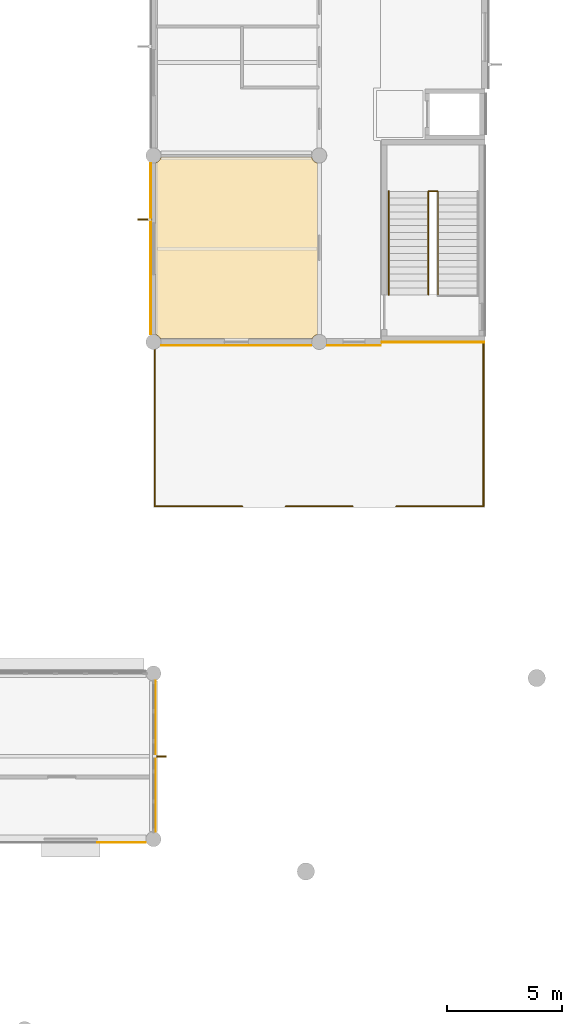
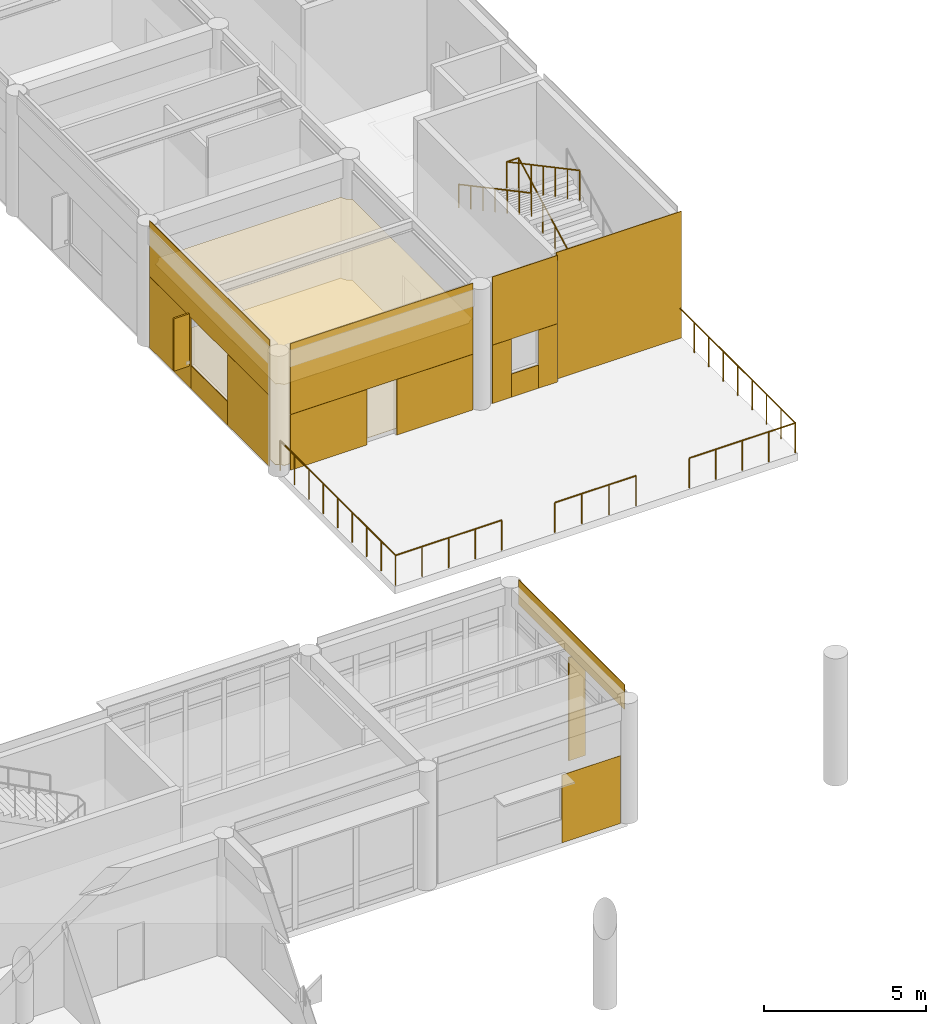
# One storey, part 88 of 92: 16 coverings, 5 railings, 2 shading devices.
"""IFC4 building model written with IfcOpenShell, lengths in metres."""

from ifc_helpers import new_model, si_unit, direction, frame, origin, origin_2d, place, context, subcontext, project, spatial, polyline, rectangle, circle, outline, extrude, material, layer, layer_set, type_object, element, save


model = new_model("IFC4")

# Units and contexts
model_context = context("Model", 3, precision=1e-05, world=origin(), true_north=direction((0.0, 1.0)))
body_context = subcontext(model_context, "Body", "Model", "MODEL_VIEW")
ifc_project = project(units=[si_unit("LENGTHUNIT", "METRE"), si_unit("AREAUNIT", "SQUARE_METRE"), si_unit("VOLUMEUNIT", "CUBIC_METRE"), si_unit("PLANEANGLEUNIT", "RADIAN"), si_unit("MASSUNIT", "GRAM", prefix="KILO")], contexts=[model_context])

# Site, building, storey
site_placement = place(None, origin())
site = spatial("IfcSite", under=ifc_project, at=site_placement, CompositionType="ELEMENT")
building_placement = place(site_placement, origin())
building = spatial("IfcBuilding", under=site, at=building_placement, Name="Namkhue Oval Health Centre", CompositionType="ELEMENT")
storey_placement = place(building_placement, frame((0.0, 0.0, 4.800048828125)))
storey = spatial("IfcBuildingStorey", under=building, at=storey_placement, Name="L01", CompositionType="ELEMENT", Elevation=4.800048828125)

# Coverings
ifc_material_1 = material(Name="Acoustic mineral-fibre cleanroom ceiling", Category="gypsum")
ifc_layer_1 = layer(ifc_material_1, 0.02001953125)
ifc_layer_set_1 = layer_set([ifc_layer_1], Name="Acoustic mineral-fibre cleanroom ceiling")
covering_type_1 = type_object("IfcCoveringType", Name="ACOUSTIC CLEANROOM CEILING 20", PredefinedType="CEILING", material=ifc_layer_set_1)
covering_1_placement = place(storey_placement, frame((0.0, 0.0, 3.050048828125)))
element("IfcCovering", 1, at=covering_1_placement, inside=storey, type_object=covering_type_1, Name="Acoustic Ceiling L01-601 Garden Terrace Rehab Lounge", PredefinedType="CEILING", context=body_context, shape_type="SweptSolid", body=[
    extrude(outline(polyline([(137.09521484375, 43.35498046875), (137.090087890625, 43.367431640625), (137.036865234375, 43.43701171875), (136.967529296875, 43.489990234375), (136.885009765625, 43.523681640625), (136.885009765625, 50.976318359375), (136.967529296875, 51.010009765625), (137.036865234375, 51.06298828125), (137.090087890625, 51.132568359375), (137.12353515625, 51.21337890625), (137.125732421875, 51.22998046875), (143.67431640625, 51.22998046875), (143.676513671875, 51.21337890625), (143.7099609375, 51.132568359375), (143.76318359375, 51.06298828125), (143.83251953125, 51.010009765625), (143.919921875, 50.9755859375), (143.919921875, 43.5244140625), (143.83251953125, 43.489990234375), (143.76318359375, 43.43701171875), (143.7099609375, 43.367431640625), (143.70458984375, 43.35498046875), (137.09521484375, 43.35498046875)])), origin(), (0.0, 0.0, 1.0), 0.02001953125),
])
ifc_material_2 = material(Name="Homogeneous anti-bacterial clinical vinyl flooring", Category="plastic")
ifc_layer_2 = layer(ifc_material_2, 0.014892578125)
ifc_layer_set_2 = layer_set([ifc_layer_2], Name="Homogeneous anti-bacterial clinical vinyl flooring")
covering_type_2 = type_object("IfcCoveringType", Name="CLINICAL ANTIBACTERIAL VINYL FLOORING 15", PredefinedType="FLOORING", material=ifc_layer_set_2)
covering_2_placement = place(storey_placement, origin())
element("IfcCovering", 2, at=covering_2_placement, inside=storey, type_object=covering_type_2, Name="Clinical Flooring L01-601 Garden Terrace Rehab Lounge", PredefinedType="FLOORING", context=body_context, shape_type="SweptSolid", body=[
    extrude(outline(polyline([(137.09521484375, 43.35498046875), (137.090087890625, 43.367431640625), (137.036865234375, 43.43701171875), (136.967529296875, 43.489990234375), (136.885009765625, 43.523681640625), (136.885009765625, 50.976318359375), (136.967529296875, 51.010009765625), (137.036865234375, 51.06298828125), (137.090087890625, 51.132568359375), (137.12353515625, 51.21337890625), (137.125732421875, 51.22998046875), (143.67431640625, 51.22998046875), (143.676513671875, 51.21337890625), (143.7099609375, 51.132568359375), (143.76318359375, 51.06298828125), (143.83251953125, 51.010009765625), (143.919921875, 50.9755859375), (143.919921875, 43.5244140625), (143.83251953125, 43.489990234375), (143.76318359375, 43.43701171875), (143.7099609375, 43.367431640625), (143.70458984375, 43.35498046875), (137.09521484375, 43.35498046875)])), origin(), (0.0, 0.0, 1.0), 0.014892578125),
])

# Railings
ifc_material_3 = material(Name="Brushed stainless steel 316L balustrade with laminated glass infill", Category="steel")
railing_type_1 = type_object("IfcRailingType", Name="EXTERIOR BALUSTRADE GUARD 1150", PredefinedType="BALUSTRADE", material=ifc_material_3)
railing_1_placement = place(storey_placement, frame((136.860107421875, 43.199951171875, 0.0)))
element("IfcRailing", 3, at=railing_1_placement, inside=storey, type_object=railing_type_1, Name="Volume V6 L01 Terrace Balustrade Guard 1", PredefinedType="BALUSTRADE", context=body_context, shape_type="SweptSolid", body=[
    extrude(circle(Radius=0.02392578125, at=origin_2d()), frame((0.0, 0.0, 1.1259765625), z_axis=(0.0, -1.0, 0.0), x_axis=(1.0, 0.0, 0.0)), (0.0, 0.0, 1.0), 7.139892578125),
    extrude(circle(Radius=0.02392578125, at=origin_2d()), frame((0.0, -7.139892578125, 1.1259765625), z_axis=(1.0, 0.0, 0.0), x_axis=(0.0, 1.0, 0.0)), (0.0, 0.0, 1.0), 3.789794921875),
    extrude(circle(Radius=0.02099609375, at=origin_2d()), origin(), (0.0, 0.0, 1.0), 1.101806640625),
    extrude(circle(Radius=0.02099609375, at=origin_2d()), frame((0.0, -0.892578125, 0.0)), (0.0, 0.0, 1.0), 1.101806640625),
    extrude(circle(Radius=0.02099609375, at=origin_2d()), frame((0.0, -1.784912109375, 0.0)), (0.0, 0.0, 1.0), 1.101806640625),
    extrude(circle(Radius=0.02099609375, at=origin_2d()), frame((0.0, -2.677490234375, 0.0)), (0.0, 0.0, 1.0), 1.101806640625),
    extrude(circle(Radius=0.02099609375, at=origin_2d()), frame((0.0, -3.56982421875, 0.0)), (0.0, 0.0, 1.0), 1.101806640625),
    extrude(circle(Radius=0.02099609375, at=origin_2d()), frame((0.0, -4.46240234375, 0.0)), (0.0, 0.0, 1.0), 1.101806640625),
    extrude(circle(Radius=0.02099609375, at=origin_2d()), frame((0.0, -5.35498046875, 0.0)), (0.0, 0.0, 1.0), 1.101806640625),
    extrude(circle(Radius=0.02099609375, at=origin_2d()), frame((0.0, -6.247314453125, 0.0)), (0.0, 0.0, 1.0), 1.101806640625),
    extrude(circle(Radius=0.02099609375, at=origin_2d()), frame((0.0, -7.139892578125, 0.0)), (0.0, 0.0, 1.0), 1.101806640625),
    extrude(circle(Radius=0.02099609375, at=origin_2d()), frame((0.947509765625, -7.139892578125, 0.0)), (0.0, 0.0, 1.0), 1.101806640625),
    extrude(circle(Radius=0.02099609375, at=origin_2d()), frame((1.89501953125, -7.139892578125, 0.0)), (0.0, 0.0, 1.0), 1.101806640625),
    extrude(circle(Radius=0.02099609375, at=origin_2d()), frame((2.84228515625, -7.139892578125, 0.0)), (0.0, 0.0, 1.0), 1.101806640625),
    extrude(circle(Radius=0.02099609375, at=origin_2d()), frame((3.789794921875, -7.139892578125, 0.0)), (0.0, 0.0, 1.0), 1.101806640625),
])
railing_2_placement = place(storey_placement, frame((142.550048828125, 36.06005859375, 0.0)))
element("IfcRailing", 4, at=railing_2_placement, inside=storey, type_object=railing_type_1, Name="Volume V6 L01 Terrace Balustrade Guard 2", PredefinedType="BALUSTRADE", context=body_context, shape_type="SweptSolid", body=[
    extrude(circle(Radius=0.02392578125, at=origin_2d()), frame((0.0, 0.0, 1.1259765625), z_axis=(1.0, 0.0, 0.0), x_axis=(0.0, 1.0, 0.0)), (0.0, 0.0, 1.0), 2.89990234375),
    extrude(circle(Radius=0.02099609375, at=origin_2d()), origin(), (0.0, 0.0, 1.0), 1.101806640625),
    extrude(circle(Radius=0.02099609375, at=origin_2d()), frame((0.966552734375, 0.0, 0.0)), (0.0, 0.0, 1.0), 1.101806640625),
    extrude(circle(Radius=0.02099609375, at=origin_2d()), frame((1.933349609375, 0.0, 0.0)), (0.0, 0.0, 1.0), 1.101806640625),
    extrude(circle(Radius=0.02099609375, at=origin_2d()), frame((2.89990234375, 0.0, 0.0)), (0.0, 0.0, 1.0), 1.101806640625),
])
railing_3_placement = place(storey_placement, frame((147.35009765625, 36.06005859375, 0.0)))
element("IfcRailing", 5, at=railing_3_placement, inside=storey, type_object=railing_type_1, Name="Volume V6 L01 Terrace Balustrade Guard 3", PredefinedType="BALUSTRADE", context=body_context, shape_type="SweptSolid", body=[
    extrude(circle(Radius=0.02392578125, at=origin_2d()), frame((0.0, 0.0, 1.1259765625), z_axis=(1.0, 0.0, 0.0), x_axis=(0.0, 1.0, 0.0)), (0.0, 0.0, 1.0), 3.789794921875),
    extrude(circle(Radius=0.02392578125, at=origin_2d()), frame((3.789794921875, 0.0, 1.1259765625), z_axis=(0.0, 1.0, 0.0), x_axis=(-1.0, 0.0, 0.0)), (0.0, 0.0, 1.0), 7.139892578125),
    extrude(circle(Radius=0.02099609375, at=origin_2d()), origin(), (0.0, 0.0, 1.0), 1.101806640625),
    extrude(circle(Radius=0.02099609375, at=origin_2d()), frame((0.947509765625, 0.0, 0.0)), (0.0, 0.0, 1.0), 1.101806640625),
    extrude(circle(Radius=0.02099609375, at=origin_2d()), frame((1.89501953125, 0.0, 0.0)), (0.0, 0.0, 1.0), 1.101806640625),
    extrude(circle(Radius=0.02099609375, at=origin_2d()), frame((2.84228515625, 0.0, 0.0)), (0.0, 0.0, 1.0), 1.101806640625),
    extrude(circle(Radius=0.02099609375, at=origin_2d()), frame((3.789794921875, 0.0, 0.0)), (0.0, 0.0, 1.0), 1.101806640625),
    extrude(circle(Radius=0.02099609375, at=origin_2d()), frame((3.789794921875, 0.892578125, 0.0)), (0.0, 0.0, 1.0), 1.101806640625),
    extrude(circle(Radius=0.02099609375, at=origin_2d()), frame((3.789794921875, 1.784912109375, 0.0)), (0.0, 0.0, 1.0), 1.101806640625),
    extrude(circle(Radius=0.02099609375, at=origin_2d()), frame((3.789794921875, 2.677490234375, 0.0)), (0.0, 0.0, 1.0), 1.101806640625),
    extrude(circle(Radius=0.02099609375, at=origin_2d()), frame((3.789794921875, 3.56982421875, 0.0)), (0.0, 0.0, 1.0), 1.101806640625),
    extrude(circle(Radius=0.02099609375, at=origin_2d()), frame((3.789794921875, 4.46240234375, 0.0)), (0.0, 0.0, 1.0), 1.101806640625),
    extrude(circle(Radius=0.02099609375, at=origin_2d()), frame((3.789794921875, 5.35498046875, 0.0)), (0.0, 0.0, 1.0), 1.101806640625),
    extrude(circle(Radius=0.02099609375, at=origin_2d()), frame((3.789794921875, 6.247314453125, 0.0)), (0.0, 0.0, 1.0), 1.101806640625),
    extrude(circle(Radius=0.02099609375, at=origin_2d()), frame((3.789794921875, 7.139892578125, 0.0)), (0.0, 0.0, 1.0), 1.101806640625),
])
railing_type_2 = type_object("IfcRailingType", Name="INTERIOR BALUSTRADE GUARD 1150", PredefinedType="BALUSTRADE", material=ifc_material_3)
railing_4_placement = place(storey_placement, frame((149.159912109375, 45.25, 0.0)))
element("IfcRailing", 6, at=railing_4_placement, inside=storey, type_object=railing_type_2, Name="Stair ST-11 L01 Inner Well Guard", PredefinedType="BALUSTRADE", context=body_context, shape_type="SweptSolid", body=[
    extrude(circle(Radius=0.02392578125, at=origin_2d()), frame((0.0, 0.0, 1.1259765625), z_axis=(0.0, 0.882360891967, 0.470573327259), x_axis=(-1.0, 0.0, 0.0)), (0.0, 0.0, 1.0), 5.099853515625),
    extrude(circle(Radius=0.02392578125, at=origin_2d()), frame((0.0, 4.5, 3.52587890625), z_axis=(-1.0, 0.0, 0.0), x_axis=(0.0, -1.0, 0.0)), (0.0, 0.0, 1.0), 0.419921875),
    extrude(circle(Radius=0.02392578125, at=origin_2d()), frame((-0.419921875, 4.5, 3.52587890625), z_axis=(0.0, -0.882341014787, 0.470610596591), x_axis=(1.0, 0.0, 0.0)), (0.0, 0.0, 1.0), 5.10009765625),
    extrude(circle(Radius=0.02099609375, at=origin_2d()), origin(), (0.0, 0.0, 1.0), 1.101806640625),
    extrude(circle(Radius=0.02099609375, at=origin_2d()), frame((0.0, 0.75, 0.39990234375)), (0.0, 0.0, 1.0), 1.101806640625),
    extrude(circle(Radius=0.02099609375, at=origin_2d()), frame((0.0, 1.5, 0.800048828125)), (0.0, 0.0, 1.0), 1.101806640625),
    extrude(circle(Radius=0.02099609375, at=origin_2d()), frame((0.0, 2.25, 1.199951171875)), (0.0, 0.0, 1.0), 1.101806640625),
    extrude(circle(Radius=0.02099609375, at=origin_2d()), frame((0.0, 3.0, 1.599853515625)), (0.0, 0.0, 1.0), 1.101806640625),
    extrude(circle(Radius=0.02099609375, at=origin_2d()), frame((0.0, 3.75, 2.0)), (0.0, 0.0, 1.0), 1.101806640625),
    extrude(circle(Radius=0.02099609375, at=origin_2d()), frame((0.0, 4.5, 2.39990234375)), (0.0, 0.0, 1.0), 1.101806640625),
    extrude(circle(Radius=0.02099609375, at=origin_2d()), frame((-0.419921875, 4.5, 2.39990234375)), (0.0, 0.0, 1.0), 1.101806640625),
    extrude(circle(Radius=0.02099609375, at=origin_2d()), frame((-0.419921875, 3.75, 2.7998046875)), (0.0, 0.0, 1.0), 1.101806640625),
    extrude(circle(Radius=0.02099609375, at=origin_2d()), frame((-0.419921875, 3.0, 3.199951171875)), (0.0, 0.0, 1.0), 1.101806640625),
    extrude(circle(Radius=0.02099609375, at=origin_2d()), frame((-0.419921875, 2.25, 3.60009765625)), (0.0, 0.0, 1.0), 1.101806640625),
    extrude(circle(Radius=0.02099609375, at=origin_2d()), frame((-0.419921875, 1.5, 4.0)), (0.0, 0.0, 1.0), 1.101806640625),
    extrude(circle(Radius=0.02099609375, at=origin_2d()), frame((-0.419921875, 0.75, 4.39990234375)), (0.0, 0.0, 1.0), 1.101806640625),
    extrude(circle(Radius=0.02099609375, at=origin_2d()), frame((-0.419921875, 0.0, 4.800048828125)), (0.0, 0.0, 1.0), 1.101806640625),
])
ifc_material_4 = material(Name="Brushed stainless steel 304 tubular handrail", Category="steel")
railing_type_3 = type_object("IfcRailingType", Name="INTERIOR STAIR HANDRAIL 900", PredefinedType="HANDRAIL", material=ifc_material_4)
railing_5_placement = place(storey_placement, frame((147.02001953125, 49.75, 2.39990234375)))
element("IfcRailing", 7, at=railing_5_placement, inside=storey, type_object=railing_type_3, Name="Stair ST-11 L01 Flight 2 Handrail", PredefinedType="HANDRAIL", context=body_context, shape_type="SweptSolid", body=[
    extrude(circle(Radius=0.02392578125, at=origin_2d()), frame((0.0, 0.0, 0.8759765625), z_axis=(0.0, -0.882341014787, 0.470610596591), x_axis=(1.0, 0.0, 0.0)), (0.0, 0.0, 1.0), 5.10009765625),
    extrude(circle(Radius=0.02099609375, at=origin_2d()), origin(), (0.0, 0.0, 1.0), 0.851806640625),
    extrude(circle(Radius=0.02099609375, at=origin_2d()), frame((0.0, -0.75, 0.39990234375)), (0.0, 0.0, 1.0), 0.851806640625),
    extrude(circle(Radius=0.02099609375, at=origin_2d()), frame((0.0, -1.5, 0.800048828125)), (0.0, 0.0, 1.0), 0.851806640625),
    extrude(circle(Radius=0.02099609375, at=origin_2d()), frame((0.0, -2.25, 1.2001953125)), (0.0, 0.0, 1.0), 0.851806640625),
    extrude(circle(Radius=0.02099609375, at=origin_2d()), frame((0.0, -3.0, 1.60009765625)), (0.0, 0.0, 1.0), 0.851806640625),
    extrude(circle(Radius=0.02099609375, at=origin_2d()), frame((0.0, -3.75, 2.0)), (0.0, 0.0, 1.0), 0.851806640625),
    extrude(circle(Radius=0.02099609375, at=origin_2d()), frame((0.0, -4.5, 2.400146484375)), (0.0, 0.0, 1.0), 0.851806640625),
])

# Shading devices
ifc_material_5 = material(Name="Anodised aluminium EN AW-6063 T6", Category="aluminium")
shading_device_type = type_object("IfcShadingDeviceType", Name="VERTICAL SOLAR FIN 600", PredefinedType="USERDEFINED", material=ifc_material_5)
shading_device_1_placement = place(storey_placement, frame((137.06005859375, 25.199951171875, 0.0), z_axis=(0.0, 0.0, 1.0), x_axis=(1.0, 0.0, 0.0)))
element("IfcShadingDevice", 8, at=shading_device_1_placement, inside=storey, type_object=shading_device_type, Name="Volume V5 L01 Extruded Aluminium Solar Fin 260", ObjectType="SOLAR FIN", PredefinedType="USERDEFINED", context=body_context, shape_type="SweptSolid", body=[
    extrude(rectangle(XDim=0.60009765625, YDim=0.06005859375, at=origin_2d()), origin(), (0.0, 0.0, 1.0), 3.887939453125),
])
shading_device_2_placement = place(storey_placement, frame((136.4150390625, 48.514892578125, 0.800048828125), z_axis=(0.0, 0.0, 1.0), x_axis=(-1.0, 0.0, 0.0)))
element("IfcShadingDevice", 9, at=shading_device_2_placement, inside=storey, type_object=shading_device_type, Name="Volume V6 L01 Window Solar Fin 311", ObjectType="SOLAR FIN", PredefinedType="USERDEFINED", context=body_context, shape_type="SweptSolid", body=[
    extrude(rectangle(XDim=0.60009765625, YDim=0.06005859375, at=origin_2d()), origin(), (0.0, 0.0, 1.0), 1.97998046875),
])

# Coverings
ifc_material_6 = material(Name="White glass-fibre reinforced concrete GRC rainscreen cladding", Category="concrete")
ifc_layer_3 = layer(ifc_material_6, 0.02490234375)
ifc_layer_set_3 = layer_set([ifc_layer_3], Name="White glass-fibre reinforced concrete GRC rainscreen cladding")
covering_type_3 = type_object("IfcCoveringType", Name="WHITE GRC RAINSCREEN CLADDING 25", PredefinedType="CLADDING", material=ifc_layer_set_3)
covering_3_placement = place(storey_placement, frame((135.41259765625, 21.452880859375, 0.010009765625), z_axis=(0.0, 0.0, 1.0), x_axis=(1.0, 0.0, 0.0)))
element("IfcCovering", 10, at=covering_3_placement, inside=storey, type_object=covering_type_3, Name="Volume V5 L01 Facade 122 White GRC Cladding 4", PredefinedType="CLADDING", context=body_context, shape_type="SweptSolid", body=[
    extrude(rectangle(XDim=2.094970703125, YDim=0.02490234375, at=origin_2d()), origin(), (0.0, 0.0, 1.0), 2.56005859375),
])
covering_4_placement = place(storey_placement, frame((136.888427734375, 25.199951171875, 3.873046875), z_axis=(0.0, 0.0, 1.0), x_axis=(0.0, 1.0, 0.0)))
element("IfcCovering", 11, at=covering_4_placement, inside=storey, type_object=covering_type_3, Name="Volume V5 L01 Curtain Wall Spandrel Cladding 193", PredefinedType="CLADDING", context=body_context, shape_type="SweptSolid", body=[
    extrude(rectangle(XDim=6.550048828125, YDim=0.02490234375, at=origin_2d()), origin(), (0.0, 0.0, 1.0), 0.927001953125),
])
covering_5_placement = place(storey_placement, frame((140.39990234375, 43.048095703125, 2.11474609375), z_axis=(0.0, 0.0, 1.0), x_axis=(1.0, 0.0, 0.0)))
element("IfcCovering", 12, at=covering_5_placement, inside=storey, type_object=covering_type_3, Name="Volume V6 L01 Facade 171 White GRC Cladding 1", PredefinedType="CLADDING", context=body_context, shape_type="SweptSolid", body=[
    extrude(rectangle(XDim=6.52001953125, YDim=0.02490234375, at=origin_2d()), origin(), (0.0, 0.0, 1.0), 2.675048828125),
])
for number, where, z_axis, x_axis, name in (
    (13, (138.50244140625, 43.048095703125, 0.010009765625), (0.0, 0.0, 1.0), (1.0, 0.0, 0.0), "Volume V6 L01 Facade 171 White GRC Cladding 2"),
    (14, (142.297607421875, 43.048095703125, 0.010009765625), (0.0, 0.0, 1.0), (1.0, 0.0, 0.0), "Volume V6 L01 Facade 171 White GRC Cladding 3"),
):
    element("IfcCovering", number, at=place(storey_placement, frame(where, z_axis=z_axis, x_axis=x_axis)), inside=storey, type_object=covering_type_3, Name=name, PredefinedType="CLADDING", context=body_context, shape_type="SweptSolid", body=[
        extrude(rectangle(XDim=2.72509765625, YDim=0.02490234375, at=origin_2d()), origin(), (0.0, 0.0, 1.0), 2.10009765625),
    ])
covering_6_placement = place(storey_placement, frame((145.509033203125, 43.04296875, 2.21484375), z_axis=(0.0, 0.0, 1.0), x_axis=(1.0, 0.0, 0.0)))
element("IfcCovering", 15, at=covering_6_placement, inside=storey, type_object=covering_type_3, Name="Volume V6 L01 Facade 172 White GRC Cladding 1", PredefinedType="CLADDING", context=body_context, shape_type="SweptSolid", body=[
    extrude(rectangle(XDim=2.337890625, YDim=0.02490234375, at=origin_2d()), origin(), (0.0, 0.0, 1.0), 2.574951171875),
])
covering_7_placement = place(storey_placement, frame((144.679443359375, 43.04296875, 0.009765625), z_axis=(0.0, 0.0, 1.0), x_axis=(1.0, 0.0, 0.0)))
element("IfcCovering", 16, at=covering_7_placement, inside=storey, type_object=covering_type_3, Name="Volume V6 L01 Facade 172 White GRC Cladding 2", PredefinedType="CLADDING", context=body_context, shape_type="SweptSolid", body=[
    extrude(rectangle(XDim=0.678955078125, YDim=0.02490234375, at=origin_2d()), origin(), (0.0, 0.0, 1.0), 2.199951171875),
])
covering_8_placement = place(storey_placement, frame((145.509033203125, 43.04296875, 0.010009765625), z_axis=(0.0, 0.0, 1.0), x_axis=(1.0, 0.0, 0.0)))
element("IfcCovering", 17, at=covering_8_placement, inside=storey, type_object=covering_type_3, Name="Volume V6 L01 Facade 172 White GRC Cladding 3", PredefinedType="CLADDING", context=body_context, shape_type="SweptSolid", body=[
    extrude(rectangle(XDim=0.969970703125, YDim=0.02490234375, at=origin_2d()), origin(), (0.0, 0.0, 1.0), 0.875),
])
covering_9_placement = place(storey_placement, frame((146.33837890625, 43.04296875, 0.009765625), z_axis=(0.0, 0.0, 1.0), x_axis=(1.0, 0.0, 0.0)))
element("IfcCovering", 18, at=covering_9_placement, inside=storey, type_object=covering_type_3, Name="Volume V6 L01 Facade 172 White GRC Cladding 4", PredefinedType="CLADDING", context=body_context, shape_type="SweptSolid", body=[
    extrude(rectangle(XDim=0.678955078125, YDim=0.02490234375, at=origin_2d()), origin(), (0.0, 0.0, 1.0), 2.199951171875),
])
covering_10_placement = place(storey_placement, frame((136.68310546875, 47.25, 2.69482421875), z_axis=(0.0, 0.0, 1.0), x_axis=(0.0, -1.0, 0.0)))
element("IfcCovering", 19, at=covering_10_placement, inside=storey, type_object=covering_type_3, Name="Volume V6 L01 Facade 180 White GRC Cladding 1", PredefinedType="CLADDING", context=body_context, shape_type="SweptSolid", body=[
    extrude(rectangle(XDim=7.419921875, YDim=0.02490234375, at=origin_2d()), origin(), (0.0, 0.0, 1.0), 2.094970703125),
])
covering_11_placement = place(storey_placement, frame((136.68310546875, 49.675048828125, 0.009765625), z_axis=(0.0, 0.0, 1.0), x_axis=(0.0, -1.0, 0.0)))
element("IfcCovering", 20, at=covering_11_placement, inside=storey, type_object=covering_type_3, Name="Volume V6 L01 Facade 180 White GRC Cladding 2", PredefinedType="CLADDING", context=body_context, shape_type="SweptSolid", body=[
    extrude(rectangle(XDim=2.570068359375, YDim=0.02490234375, at=origin_2d()), origin(), (0.0, 0.0, 1.0), 2.679931640625),
])
covering_12_placement = place(storey_placement, frame((136.68310546875, 47.25, 0.010009765625), z_axis=(0.0, 0.0, 1.0), x_axis=(0.0, -1.0, 0.0)))
element("IfcCovering", 21, at=covering_12_placement, inside=storey, type_object=covering_type_3, Name="Volume V6 L01 Facade 180 White GRC Cladding 3", PredefinedType="CLADDING", context=body_context, shape_type="SweptSolid", body=[
    extrude(rectangle(XDim=2.27001953125, YDim=0.02490234375, at=origin_2d()), origin(), (0.0, 0.0, 1.0), 0.875),
])
covering_13_placement = place(storey_placement, frame((136.68310546875, 44.824951171875, 0.009765625), z_axis=(0.0, 0.0, 1.0), x_axis=(0.0, -1.0, 0.0)))
element("IfcCovering", 22, at=covering_13_placement, inside=storey, type_object=covering_type_3, Name="Volume V6 L01 Facade 180 White GRC Cladding 4", PredefinedType="CLADDING", context=body_context, shape_type="SweptSolid", body=[
    extrude(rectangle(XDim=2.570068359375, YDim=0.02490234375, at=origin_2d()), origin(), (0.0, 0.0, 1.0), 2.679931640625),
])
covering_14_placement = place(storey_placement, frame((148.949951171875, 43.18798828125, 0.009765625), z_axis=(0.0, 0.0, 1.0), x_axis=(1.0, 0.0, 0.0)))
element("IfcCovering", 23, at=covering_14_placement, inside=storey, type_object=covering_type_3, Name="Core SC-11 L01 Core S White GRC Cladding 1", PredefinedType="CLADDING", context=body_context, shape_type="SweptSolid", body=[
    extrude(rectangle(XDim=4.4599609375, YDim=0.02490234375, at=origin_2d()), origin(), (0.0, 0.0, 1.0), 4.780029296875),
])

save(model, "model.ifc")
